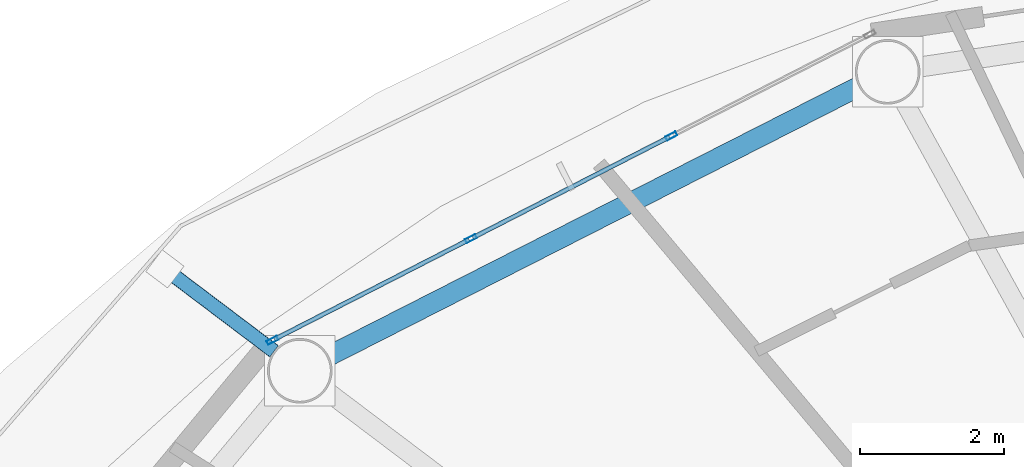
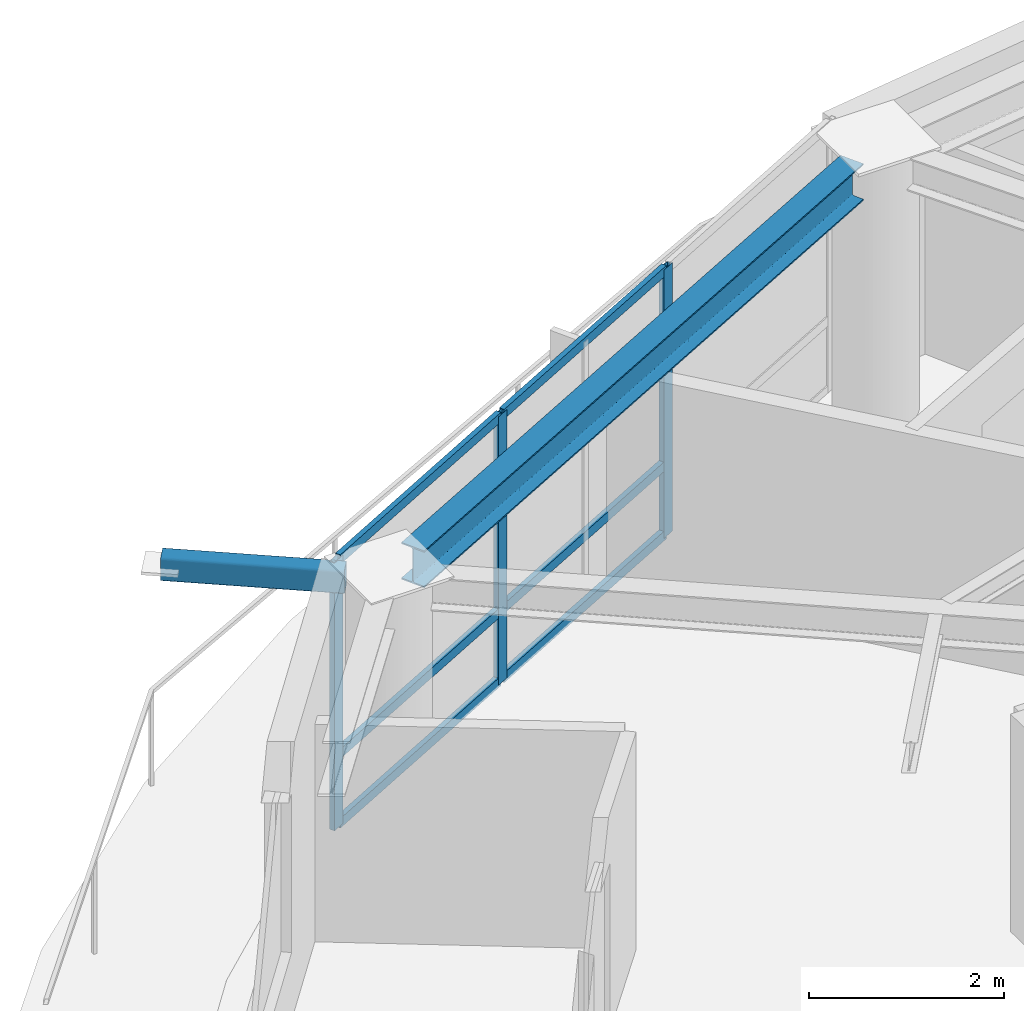
# One storey, part 8 of 23: 10 members, 1 beam, 1 element without a shape of its own.
"""IFC4 building model written with IfcOpenShell, lengths in metres."""

from ifc_helpers import new_model, si_unit, direction, frame, origin, origin_2d, place, context, subcontext, project, spatial, hollow_rectangle, i_section, extrude, material, layer, layer_set, material_profile, profile_set, type_object, element, aggregate, save


model = new_model("IFC4")

# Units and contexts
model_context = context("Model", 3, precision=1e-05, world=origin(), true_north=direction((0.0, 1.0)))
body_context = subcontext(model_context, "Body", "Model", "MODEL_VIEW")
ifc_project = project(units=[si_unit("LENGTHUNIT", "METRE"), si_unit("AREAUNIT", "SQUARE_METRE"), si_unit("VOLUMEUNIT", "CUBIC_METRE"), si_unit("PLANEANGLEUNIT", "RADIAN"), si_unit("MASSUNIT", "GRAM", prefix="KILO")], contexts=[model_context])

# Site, building, storey
site_placement = place(None, origin())
site = spatial("IfcSite", under=ifc_project, at=site_placement, CompositionType="ELEMENT")
building_placement = place(site_placement, origin())
building = spatial("IfcBuilding", under=site, at=building_placement, Name="Sarneth Arch Tower", CompositionType="ELEMENT")
storey_placement = place(building_placement, frame((0.0, 0.0, 262.199951171875)))
storey = spatial("IfcBuildingStorey", under=building, at=storey_placement, Name="L67", CompositionType="ELEMENT", Elevation=262.199951171875)

# Beam
ifc_material_1 = material(Name="Steel S355", Category="steel")
ifc_material_profile_1 = material_profile(ifc_material_1, i_section(OverallWidth=0.280029296875, OverallDepth=0.462890625, WebThickness=0.0107421875, FlangeThickness=0.017333984375, FilletRadius=0.01806640625, at=origin_2d()), Name="W460x113")
ifc_profile_set_1 = profile_set([ifc_material_profile_1], Name="Steel S355")
beam_type = type_object("IfcBeamType", Name="BM-RAD-460A", PredefinedType="BEAM", material=ifc_profile_set_1)
beam_placement = place(storey_placement, frame((37.80810546875, 59.534423828125, 3.138427734375), z_axis=(-0.891376248079, -0.453264144138, 0.0), x_axis=(0.453264144138, -0.891376248079, 0.0)))
element("IfcBeam", 1, at=beam_placement, inside=storey, type_object=beam_type, Name="L67 Perimeter spandrel beam 06", PredefinedType="BEAM", context=body_context, shape_type="SweptSolid", body=[
    extrude(i_section(OverallWidth=0.280029296875, OverallDepth=0.462890625, WebThickness=0.0107421875, FlangeThickness=0.017333984375, FilletRadius=0.01806640625, at=origin_2d()), origin(), (0.0, 0.0, 1.0), 8.281982421875),
])

# Curtain wall, members
ifc_material_2 = material(Name="Anodised aluminium Type AA25 and solar-control low-e laminated IGU", Category="aluminium")
ifc_layer = layer(ifc_material_2, 0.179931640625)
ifc_layer_set = layer_set([ifc_layer], Name="Anodised aluminium Type AA25 and solar-control low-e laminated IGU")
curtain_wall_type = type_object("IfcCurtainWallType", Name="CW-RES-HIGH", PredefinedType="NOTDEFINED", material=ifc_layer_set)
curtain_wall_placement = place(storey_placement, origin())
curtain_wall = element("IfcCurtainWall", 2, at=curtain_wall_placement, inside=storey, type_object=curtain_wall_type, Name="L67 Unitised curtain wall facet 06", PredefinedType="NOTDEFINED")
ifc_material_3 = material(Name="Anodised Aluminium 6063-T6", Category="aluminium")
ifc_material_profile_2 = material_profile(ifc_material_3, hollow_rectangle(XDim=0.06005859375, YDim=0.159912109375, WallThickness=0.00390625, at=origin_2d()), Name="AL-MULL-160x60x4")
ifc_profile_set_2 = profile_set([ifc_material_profile_2], Name="Anodised Aluminium 6063-T6")
member_type_1 = type_object("IfcMemberType", Name="CW-MULLION", PredefinedType="MULLION", material=ifc_profile_set_2)
member_1_placement = place(storey_placement, frame((35.197509765625, 58.844970703125, 0.0), z_axis=(0.0, 0.0, 1.0), x_axis=(0.455941901753, -0.890009540525, 0.0)))
member_1 = element("IfcMember", 3, at=member_1_placement, type_object=member_type_1, Name="CW-SYS-6 mullion 2", PredefinedType="MULLION", context=body_context, shape_type="SweptSolid", body=[
    extrude(hollow_rectangle(XDim=0.06005859375, YDim=0.159912109375, WallThickness=0.00390625, at=origin_2d()), origin(), (0.0, 0.0, 1.0), 3.3701171875),
])
member_2_placement = place(storey_placement, frame((32.407470703125, 57.415771484375, 0.0), z_axis=(0.0, 0.0, 1.0), x_axis=(0.455941901753, -0.890009540525, 0.0)))
member_2 = element("IfcMember", 4, at=member_2_placement, type_object=member_type_1, Name="CW-SYS-6 mullion 3", PredefinedType="MULLION", context=body_context, shape_type="SweptSolid", body=[
    extrude(hollow_rectangle(XDim=0.06005859375, YDim=0.159912109375, WallThickness=0.00390625, at=origin_2d()), origin(), (0.0, 0.0, 1.0), 3.3701171875),
])
member_3_placement = place(storey_placement, frame((29.644287109375, 56.000244140625, 0.0), z_axis=(0.0, 0.0, 1.0), x_axis=(0.455941901753, -0.890009540525, 0.0)))
member_3 = element("IfcMember", 5, at=member_3_placement, type_object=member_type_1, Name="CW-SYS-6 mullion 4", PredefinedType="MULLION", context=body_context, shape_type="SweptSolid", body=[
    extrude(hollow_rectangle(XDim=0.06005859375, YDim=0.159912109375, WallThickness=0.00390625, at=origin_2d()), origin(), (0.0, 0.0, 1.0), 3.3701171875),
])
ifc_material_4 = material(Name="Anodised Aluminium 6063-T6", Category="aluminium")
ifc_material_profile_3 = material_profile(ifc_material_4, hollow_rectangle(XDim=0.06005859375, YDim=0.1201171875, WallThickness=0.00390625, at=origin_2d()), Name="AL-TRAN-120x60x4")
ifc_profile_set_3 = profile_set([ifc_material_profile_3], Name="Anodised Aluminium 6063-T6")
member_type_2 = type_object("IfcMemberType", Name="CW-TRANSOM", PredefinedType="USERDEFINED", material=ifc_profile_set_3)
member_4_placement = place(storey_placement, frame((35.170654296875, 58.831298828125, 0.030029296875), z_axis=(-0.890017432405, -0.455926496286, 0.0), x_axis=(0.455926496286, -0.890017432405, 0.0)))
member_4 = element("IfcMember", 6, at=member_4_placement, type_object=member_type_2, Name="CW-SYS-6 transom 2.1", ObjectType="TRANSOM", PredefinedType="USERDEFINED", context=body_context, shape_type="SweptSolid", body=[
    extrude(hollow_rectangle(XDim=0.06005859375, YDim=0.1201171875, WallThickness=0.00390625, at=origin_2d()), origin(), (0.0, 0.0, 1.0), 3.07470703125),
])
member_5_placement = place(storey_placement, frame((35.170654296875, 58.831298828125, 0.900146484375), z_axis=(-0.890017432405, -0.455926496286, 0.0), x_axis=(0.455926496286, -0.890017432405, 0.0)))
member_5 = element("IfcMember", 7, at=member_5_placement, type_object=member_type_2, Name="CW-SYS-6 transom 2.2", ObjectType="TRANSOM", PredefinedType="USERDEFINED", context=body_context, shape_type="SweptSolid", body=[
    extrude(hollow_rectangle(XDim=0.06005859375, YDim=0.1201171875, WallThickness=0.00390625, at=origin_2d()), origin(), (0.0, 0.0, 1.0), 3.07470703125),
])
member_6_placement = place(storey_placement, frame((35.170654296875, 58.831298828125, 3.340087890625), z_axis=(-0.890017432405, -0.455926496286, 0.0), x_axis=(0.455926496286, -0.890017432405, 0.0)))
member_6 = element("IfcMember", 8, at=member_6_placement, type_object=member_type_2, Name="CW-SYS-6 transom 2.3", ObjectType="TRANSOM", PredefinedType="USERDEFINED", context=body_context, shape_type="SweptSolid", body=[
    extrude(hollow_rectangle(XDim=0.06005859375, YDim=0.1201171875, WallThickness=0.00390625, at=origin_2d()), origin(), (0.0, 0.0, 1.0), 3.07470703125),
])
member_7_placement = place(storey_placement, frame((32.380859375, 57.402099609375, 0.030029296875), z_axis=(-0.890022732705, -0.455916149384, 0.0), x_axis=(0.455916149384, -0.890022732705, 0.0)))
member_7 = element("IfcMember", 9, at=member_7_placement, type_object=member_type_2, Name="CW-SYS-6 transom 3.1", ObjectType="TRANSOM", PredefinedType="USERDEFINED", context=body_context, shape_type="SweptSolid", body=[
    extrude(hollow_rectangle(XDim=0.06005859375, YDim=0.1201171875, WallThickness=0.00390625, at=origin_2d()), origin(), (0.0, 0.0, 1.0), 3.044921875),
])
member_8_placement = place(storey_placement, frame((32.380859375, 57.402099609375, 0.900146484375), z_axis=(-0.890022732705, -0.455916149384, 0.0), x_axis=(0.455916149384, -0.890022732705, 0.0)))
member_8 = element("IfcMember", 10, at=member_8_placement, type_object=member_type_2, Name="CW-SYS-6 transom 3.2", ObjectType="TRANSOM", PredefinedType="USERDEFINED", context=body_context, shape_type="SweptSolid", body=[
    extrude(hollow_rectangle(XDim=0.06005859375, YDim=0.1201171875, WallThickness=0.00390625, at=origin_2d()), origin(), (0.0, 0.0, 1.0), 3.044921875),
])
member_9_placement = place(storey_placement, frame((32.380859375, 57.402099609375, 3.340087890625), z_axis=(-0.890022732705, -0.455916149384, 0.0), x_axis=(0.455916149384, -0.890022732705, 0.0)))
member_9 = element("IfcMember", 11, at=member_9_placement, type_object=member_type_2, Name="CW-SYS-6 transom 3.3", ObjectType="TRANSOM", PredefinedType="USERDEFINED", context=body_context, shape_type="SweptSolid", body=[
    extrude(hollow_rectangle(XDim=0.06005859375, YDim=0.1201171875, WallThickness=0.00390625, at=origin_2d()), origin(), (0.0, 0.0, 1.0), 3.044921875),
])
aggregate(curtain_wall, [member_1, member_2, member_3, member_4, member_5, member_6, member_7, member_8, member_9])

# Member
ifc_material_5 = material(Name="Steel S355", Category="steel")
ifc_material_profile_4 = material_profile(ifc_material_5, hollow_rectangle(XDim=0.199951171875, YDim=0.300048828125, WallThickness=0.012451171875, InnerFilletRadius=0.018798828125, OuterFilletRadius=0.03125, at=origin_2d()), Name="RHS300x200x12.5")
ifc_profile_set_4 = profile_set([ifc_material_profile_4], Name="Steel S355")
member_type_3 = type_object("IfcMemberType", Name="MEM-CANT-STRUT", PredefinedType="STRUT", material=ifc_profile_set_4)
member_10_placement = place(storey_placement, frame((29.665771484375, 55.84765625, 3.2099609375), z_axis=(-0.797979698367, 0.602684329475, 0.0), x_axis=(-0.602684329475, -0.797979698367, 0.0)))
element("IfcMember", 12, at=member_10_placement, inside=storey, type_object=member_type_3, Name="L67 Balcony cantilever bracket 07", PredefinedType="STRUT", context=body_context, shape_type="SweptSolid", body=[
    extrude(hollow_rectangle(XDim=0.199951171875, YDim=0.300048828125, WallThickness=0.012451171875, InnerFilletRadius=0.018798828125, OuterFilletRadius=0.03125, at=origin_2d()), origin(), (0.0, 0.0, 1.0), 1.90380859375),
])

save(model, "model.ifc")
